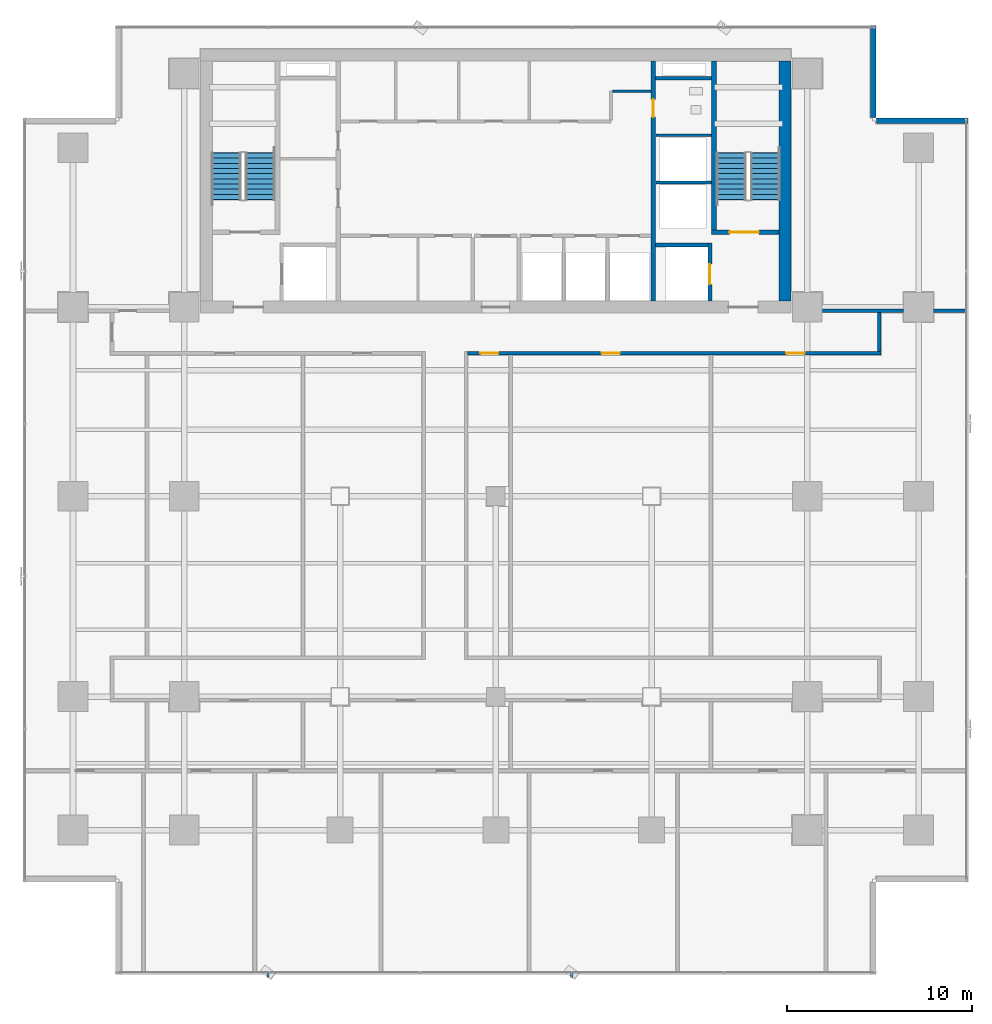
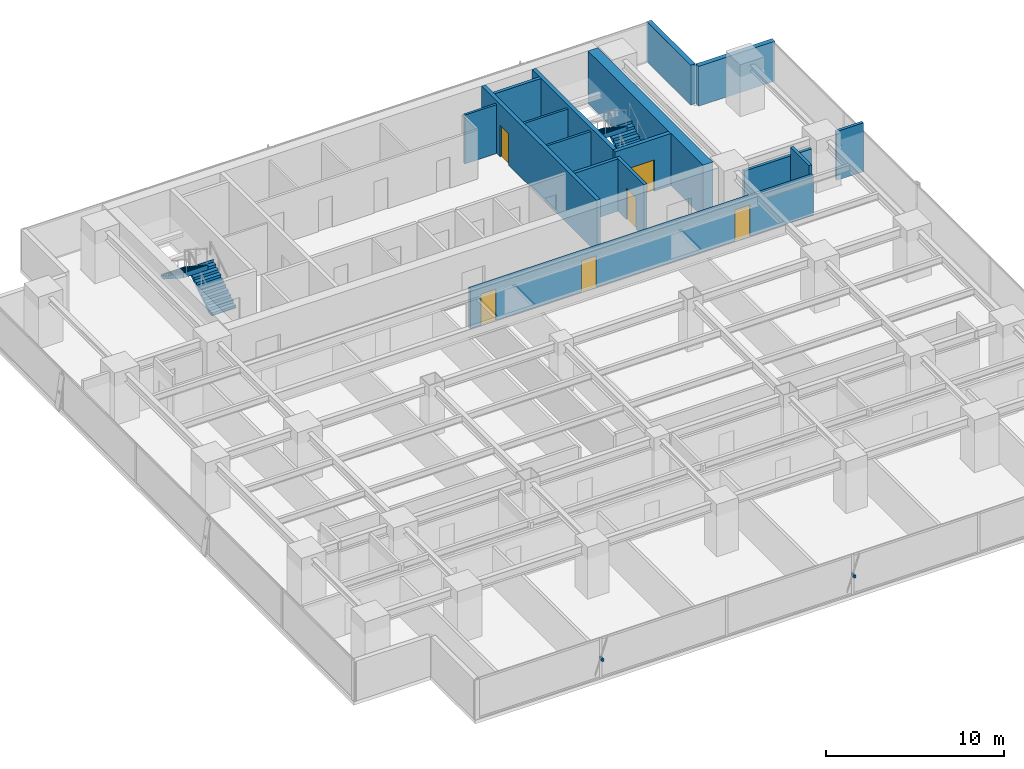
# One storey, part 30 of 36: 16 walls, 6 doors, 4 stair flights, 2 discrete accessories, 6 openings, 2 elements without a shape of their own.
"""IFC4 building model written with IfcOpenShell, lengths in metres."""

import ifcopenshell
import ifcopenshell.guid

model = None  # the IFC model being written
_history = None  # IfcOwnerHistory: only IFC2X3 demands one
_inside = {}  # id of a spatial element -> (the spatial element, [elements in it])
_under = {}  # id of a project, library or spatial element -> (it, [spatial elements below it])
_declared = {}  # id of a project -> (the project, [libraries it declares])
_typed = {}  # id of a type object -> (the type object, [elements of that type])
_made_of = {}  # id of a material, layer set ... -> (it, [elements and type objects made of it])


def new_model(schema):
    """Start an empty IFC model of exactly this schema.

    Asked for "IFC4X3", IfcOpenShell would pick the latest addendum, in which some entities
    have other attributes; the version numbers below select the first issue.
    IFC2X3 requires an IfcOwnerHistory on every rooted entity: one is made here for all.
    """
    global model, _history
    if schema == "IFC4X3":
        model = ifcopenshell.file(schema_version=(4, 3, 0, 0))
    else:
        model = ifcopenshell.file(schema=schema)
    _inside.clear()
    _under.clear()
    _declared.clear()
    _typed.clear()
    _made_of.clear()
    _history = None
    if model.schema == "IFC2X3":
        org = make("IfcOrganization", Name="unknown")
        user = make(
            "IfcPersonAndOrganization",
            ThePerson=make("IfcPerson", FamilyName="unknown"),
            TheOrganization=org,
        )
        app = make(
            "IfcApplication",
            ApplicationDeveloper=org,
            Version="unknown",
            ApplicationFullName="unknown",
            ApplicationIdentifier="unknown",
        )
        _history = make(
            "IfcOwnerHistory",
            OwningUser=user,
            OwningApplication=app,
            ChangeAction="ADDED",
            CreationDate=0,
        )
    return model


def make(cls, **values):
    """One entity of the class cls with the attributes given. An attribute that is None is left unset."""
    return model.create_entity(
        cls, **{name: value for name, value in values.items() if value is not None}
    )


def rooted(cls, **values):
    """An entity with a GlobalId (a new one), such as an element, a storey or a relation."""
    return make(cls, GlobalId=ifcopenshell.guid.new(), OwnerHistory=_history, **values)


def si_unit(unit_type, name, prefix=None):
    """IfcSIUnit, for example si_unit("LENGTHUNIT", "METRE", prefix="MILLI")."""
    return make("IfcSIUnit", UnitType=unit_type, Prefix=prefix, Name=name)


def assignment(units):
    """IfcUnitAssignment: the units of a project."""
    return None if units is None else make("IfcUnitAssignment", Units=units)


def point(xyz):
    """IfcCartesianPoint."""
    return None if xyz is None else make("IfcCartesianPoint", Coordinates=xyz)


def direction(xyz):
    """IfcDirection."""
    return None if xyz is None else make("IfcDirection", DirectionRatios=xyz)


def frame(location, z_axis=None, x_axis=None):
    """IfcAxis2Placement3D, a coordinate frame: its origin and axes. An axis left out is left unset."""
    return make(
        "IfcAxis2Placement3D",
        Location=point(location),
        Axis=direction(z_axis),
        RefDirection=direction(x_axis),
    )


def frame_2d(location, x_axis=None):
    """IfcAxis2Placement2D, a coordinate frame in the plane: its origin and x axis."""
    return make(
        "IfcAxis2Placement2D", Location=point(location), RefDirection=direction(x_axis)
    )


def origin():
    """The frame at (0, 0, 0) with its axes left unset."""
    return frame((0.0, 0.0, 0.0))


def origin_2d():
    """The frame at (0, 0) in the plane with its x axis left unset."""
    return frame_2d((0.0, 0.0))


def place(relative_to, where):
    """IfcLocalPlacement: puts the frame where relative to a parent placement (None: the world)."""
    return make(
        "IfcLocalPlacement", PlacementRelTo=relative_to, RelativePlacement=where
    )


def context(
    kind, dimensions, precision=None, world=None, true_north=None, identifier=None
):
    """IfcGeometricRepresentationContext, for example the 3D "Model" context."""
    return make(
        "IfcGeometricRepresentationContext",
        ContextIdentifier=identifier,
        ContextType=kind,
        CoordinateSpaceDimension=dimensions,
        Precision=precision,
        WorldCoordinateSystem=world,
        TrueNorth=true_north,
    )


def subcontext(parent, identifier, kind, view, scale=None):
    """IfcGeometricRepresentationSubContext, for example "Body" below "Model"."""
    return make(
        "IfcGeometricRepresentationSubContext",
        ContextIdentifier=identifier,
        ContextType=kind,
        ParentContext=parent,
        TargetScale=scale,
        TargetView=view,
    )


def project(units=None, contexts=None):
    """IfcProject with its units and contexts."""
    return rooted(
        "IfcProject",
        Name="project",
        RepresentationContexts=contexts,
        UnitsInContext=assignment(units),
    )


def spatial(cls, under=None, at=None, **own):
    """A site, building, storey or space (cls), placed at a placement, below another one or the project."""
    s = rooted(cls, ObjectPlacement=at, **own)
    if under is not None:
        _under.setdefault(under.id(), (under, []))[1].append(s)
    return s


def polyline(points):
    """IfcPolyline through the points."""
    return make("IfcPolyline", Points=[point(p) for p in points])


def profile(cls, at=None, kind="AREA", **sizes):
    """A parametric profile (cls). Its sizes go by their IFC names, for example OverallWidth=200.0."""
    return make(cls, ProfileType=kind, Position=at, **sizes)


def rectangle(**sizes):
    """IfcRectangleProfileDef."""
    return profile("IfcRectangleProfileDef", **sizes)


def outline(outer, holes=None, kind="AREA"):
    """IfcArbitraryClosedProfileDef: a profile drawn as a closed curve; with holes, ...WithVoids."""
    if holes is None:
        return make("IfcArbitraryClosedProfileDef", ProfileType=kind, OuterCurve=outer)
    return make(
        "IfcArbitraryProfileDefWithVoids",
        ProfileType=kind,
        OuterCurve=outer,
        InnerCurves=holes,
    )


def extrude(swept, where, along, depth):
    """IfcExtrudedAreaSolid: the profile swept, set in the frame where, extruded along a direction by depth."""
    return make(
        "IfcExtrudedAreaSolid",
        SweptArea=swept,
        Position=where,
        ExtrudedDirection=direction(along),
        Depth=depth,
    )


def shape(context_of_items, identifier, shape_type, items):
    """IfcShapeRepresentation: the items that make up one representation, for example the "Body"."""
    return make(
        "IfcShapeRepresentation",
        ContextOfItems=context_of_items,
        RepresentationIdentifier=identifier,
        RepresentationType=shape_type,
        Items=items,
    )


def source(mapping_origin, context_of_items, identifier, shape_type, items):
    """IfcRepresentationMap: a shape defined once, which mapped items show again and again."""
    return make(
        "IfcRepresentationMap",
        MappingOrigin=mapping_origin,
        MappedRepresentation=shape(context_of_items, identifier, shape_type, items),
    )


def transform(
    local_origin,
    x_axis=None,
    y_axis=None,
    z_axis=None,
    scale=None,
    scale2=None,
    scale3=None,
    uniform=True,
):
    """IfcCartesianTransformationOperator3D, or its non-uniform kind. x_axis, y_axis, z_axis: its Axis1, 2, 3."""
    if uniform:
        return make(
            "IfcCartesianTransformationOperator3D",
            Axis1=direction(x_axis),
            Axis2=direction(y_axis),
            LocalOrigin=point(local_origin),
            Scale=scale,
            Axis3=direction(z_axis),
        )
    return make(
        "IfcCartesianTransformationOperator3DnonUniform",
        Axis1=direction(x_axis),
        Axis2=direction(y_axis),
        LocalOrigin=point(local_origin),
        Scale=scale,
        Axis3=direction(z_axis),
        Scale2=scale2,
        Scale3=scale3,
    )


def mapped(mapping_source, mapping_target):
    """IfcMappedItem: shows the shape of a source again, moved by a transform."""
    return make(
        "IfcMappedItem", MappingSource=mapping_source, MappingTarget=mapping_target
    )


def material(Name=None, Category=None):
    """IfcMaterial."""
    return make("IfcMaterial", Name=Name, Category=Category)


def layer(
    of_material, thickness, ventilated=None, Name=None, Category=None, Priority=None
):
    """IfcMaterialLayer: one layer of a wall or slab, of a material (None: an air gap)."""
    return make(
        "IfcMaterialLayer",
        Material=of_material,
        LayerThickness=thickness,
        IsVentilated=ventilated,
        Name=Name,
        Category=Category,
        Priority=Priority,
    )


def layer_set(layers, Name=None):
    """IfcMaterialLayerSet."""
    return make("IfcMaterialLayerSet", MaterialLayers=layers, LayerSetName=Name)


def material_profile(
    of_material, cross_section, Name=None, Category=None, Priority=None
):
    """IfcMaterialProfile: a cross section and its material."""
    return make(
        "IfcMaterialProfile",
        Name=Name,
        Material=of_material,
        Profile=cross_section,
        Priority=Priority,
        Category=Category,
    )


def profile_set(profiles, Name=None, composite=None):
    """IfcMaterialProfileSet."""
    return make(
        "IfcMaterialProfileSet",
        Name=Name,
        MaterialProfiles=profiles,
        CompositeProfile=composite,
    )


def made_of(thing, what):
    """Note that an element or type object is made of a material, layer set ...; save() writes the relation."""
    if what is not None:
        _made_of.setdefault(what.id(), (what, []))[1].append(thing)
    return thing


def type_object(cls, material=None, **own):
    """A type object (cls), such as IfcWallType, which elements share."""
    return made_of(rooted(cls, **own), material)


def element(
    cls,
    number,
    at=None,
    inside=None,
    cuts=None,
    type_object=None,
    material=None,
    context=None,
    identifier="Body",
    shape_type=None,
    held_by="IfcProductDefinitionShape",
    body=None,
    shapes=None,
    **own,
):
    """One element of the class cls, such as IfcWall. Its Tag is "e" and its number.

    at: its placement. inside: the storey or other place that contains it. cuts: it is an
    opening in that element (IfcRelVoidsElement). A single representation is given by context,
    identifier, shape_type and body (its items); several are given by shapes. held_by: the class
    of the entity that holds the representations. save() writes the other relations.
    """
    e = rooted(cls, Tag="e%d" % number, ObjectPlacement=at, **own)
    if body is not None:
        shapes = [shape(context, identifier, shape_type, body)]
    if shapes is not None:
        e.Representation = make(held_by, Representations=shapes)
    if inside is not None:
        _inside.setdefault(inside.id(), (inside, []))[1].append(e)
    if cuts is not None:
        rooted(
            "IfcRelVoidsElement", RelatingBuildingElement=cuts, RelatedOpeningElement=e
        )
    if type_object is not None:
        _typed.setdefault(type_object.id(), (type_object, []))[1].append(e)
    return made_of(e, material)


def fill(opening, filler):
    """IfcRelFillsElement: the door or window that sits in an opening."""
    return rooted(
        "IfcRelFillsElement",
        RelatingOpeningElement=opening,
        RelatedBuildingElement=filler,
    )


def aggregate(whole, parts):
    """IfcRelAggregates: a whole, such as a stair, and the parts it consists of."""
    return rooted("IfcRelAggregates", RelatingObject=whole, RelatedObjects=parts)


def save(model, path):
    """Write the relations noted so far, then the file.

    IfcRelAggregates (storeys below a building ...), IfcRelContainedInSpatialStructure (elements
    in a storey), IfcRelDefinesByType, IfcRelAssociatesMaterial and IfcRelDeclares: one each for
    every whole, place, type object, material and project.
    """
    for whole, parts in _under.values():
        aggregate(whole, parts)
    for where, things in _inside.values():
        rooted(
            "IfcRelContainedInSpatialStructure",
            RelatedElements=things,
            RelatingStructure=where,
        )
    for kind, things in _typed.values():
        rooted("IfcRelDefinesByType", RelatedObjects=things, RelatingType=kind)
    for what, things in _made_of.values():
        rooted("IfcRelAssociatesMaterial", RelatedObjects=things, RelatingMaterial=what)
    for by, libraries in _declared.values():
        rooted("IfcRelDeclares", RelatingContext=by, RelatedDefinitions=libraries)
    model.write(path)


model = new_model("IFC4")

# Units and contexts
model_context = context("Model", 3, precision=1e-05, world=origin(), true_north=direction((0.0, 1.0)))
body_context = subcontext(model_context, "Body", "Model", "MODEL_VIEW")
ifc_project = project(units=[si_unit("LENGTHUNIT", "METRE"), si_unit("AREAUNIT", "SQUARE_METRE"), si_unit("VOLUMEUNIT", "CUBIC_METRE"), si_unit("PLANEANGLEUNIT", "RADIAN"), si_unit("MASSUNIT", "GRAM", prefix="KILO")], contexts=[model_context])

# Site, building, storey
site_placement = place(None, origin())
site = spatial("IfcSite", under=ifc_project, at=site_placement, CompositionType="ELEMENT")
building_placement = place(site_placement, origin())
building = spatial("IfcBuilding", under=site, at=building_placement, Name="Sumidabori Civic Tower", CompositionType="ELEMENT")
storey_placement = place(building_placement, frame((0.0, 0.0, 113.60009765625)))
storey = spatial("IfcBuildingStorey", under=building, at=storey_placement, Name="L29", CompositionType="ELEMENT", Elevation=113.60009765625)

# Walls
ifc_material_1 = material(Name="Concrete C50/60", Category="concrete")
ifc_layer_1 = layer(ifc_material_1, 0.199951171875, Name="Concrete C50/60")
ifc_layer_set_1 = layer_set([ifc_layer_1], Name="Concrete C50/60")
wall_type_1 = type_object("IfcWallType", Name="WL-SHAFT-200", PredefinedType="SHEAR", material=ifc_layer_set_1)
shared_shape_1 = source(origin(), body_context, "Body", "SweptSolid", [
    extrude(rectangle(XDim=2.824951171875, YDim=0.199951171875, at=frame_2d((1.41259765625, 0.0))), origin(), (0.0, 0.0, 1.0), 3.599853515625),
])
wall_1_placement = place(storey_placement, frame((8.625, 13.550048828125, 0.0), z_axis=(0.0, 0.0, 1.0), x_axis=(1.0, 0.0, 0.0)))
element("IfcWall", 1, at=wall_1_placement, inside=storey, type_object=wall_type_1, Name="Core Shear Wall L29 EL2-N", PredefinedType="SHEAR", context=body_context, shape_type="MappedRepresentation", body=[
    mapped(shared_shape_1, transform((0.0, 0.0, 0.0), x_axis=(1.0, 0.0, 0.0), y_axis=(0.0, 1.0, 0.0), z_axis=(0.0, 0.0, 1.0), scale=1.0)),
])
shared_shape_2 = source(origin(), body_context, "Body", "SweptSolid", [
    extrude(rectangle(XDim=3.02001953125, YDim=0.199951171875, at=frame_2d((1.510009765625, 0.0))), origin(), (0.0, 0.0, 1.0), 3.599853515625),
])
wall_2_placement = place(storey_placement, frame((8.625, 22.550048828125, 0.0), z_axis=(0.0, 0.0, 1.0), x_axis=(1.0, 0.0, 0.0)))
element("IfcWall", 2, at=wall_2_placement, inside=storey, type_object=wall_type_1, Name="Core Shear Wall L29 RIS2-S", PredefinedType="SHEAR", context=body_context, shape_type="MappedRepresentation", body=[
    mapped(shared_shape_2, transform((0.0, 0.0, 0.0), x_axis=(1.0, 0.0, 0.0), y_axis=(0.0, 1.0, 0.0), z_axis=(0.0, 0.0, 1.0), scale=1.0)),
])
ifc_material_2 = material(Name="Concrete C60/75", Category="concrete")
ifc_layer_2 = layer(ifc_material_2, 0.64990234375, Name="Concrete C60/75")
ifc_layer_set_2 = layer_set([ifc_layer_2], Name="Concrete C60/75")
wall_type_2 = type_object("IfcWallType", Name="WL-CORE-650", PredefinedType="SHEAR", material=ifc_layer_set_2)
shared_shape_3 = source(origin(), body_context, "Body", "SweptSolid", [
    extrude(rectangle(XDim=12.9501953125, YDim=0.64990234375, at=frame_2d((6.47509765625, 0.0))), origin(), (0.0, 0.0, 1.0), 3.599853515625),
])
wall_3_placement = place(storey_placement, frame((15.60009765625, 10.52490234375, 0.0), z_axis=(0.0, 0.0, 1.0), x_axis=(0.0, 1.0, 0.0)))
element("IfcWall", 3, at=wall_3_placement, inside=storey, type_object=wall_type_2, Name="Core Shear Wall L29 E", PredefinedType="SHEAR", context=body_context, shape_type="MappedRepresentation", body=[
    mapped(shared_shape_3, transform((0.0, 0.0, 0.0), x_axis=(1.0, 0.0, 0.0), y_axis=(0.0, 1.0, 0.0), z_axis=(0.0, 0.0, 1.0), scale=1.0)),
])

# Wall, opening, door
ifc_layer_3 = layer(ifc_material_1, 0.25, Name="Concrete C50/60")
ifc_layer_set_3 = layer_set([ifc_layer_3], Name="Concrete C50/60")
wall_type_3 = type_object("IfcWallType", Name="WL-SHAFT-250", PredefinedType="SHEAR", material=ifc_layer_set_3)
shared_shape_4 = source(origin(), body_context, "Body", "SweptSolid", [
    extrude(rectangle(XDim=12.9501953125, YDim=0.25, at=frame_2d((6.47509765625, 0.0))), origin(), (0.0, 0.0, 1.0), 3.599853515625),
])
wall_4_placement = place(storey_placement, frame((8.5, 10.52490234375, 0.0), z_axis=(0.0, 0.0, 1.0), x_axis=(0.0, 1.0, 0.0)))
wall_4 = element("IfcWall", 4, at=wall_4_placement, inside=storey, type_object=wall_type_3, Name="Core Shear Wall L29 WEB-E", PredefinedType="SHEAR", context=body_context, shape_type="MappedRepresentation", body=[
    mapped(shared_shape_4, transform((0.0, 0.0, 0.0), x_axis=(1.0, 0.0, 0.0), y_axis=(0.0, 1.0, 0.0), z_axis=(0.0, 0.0, 1.0), scale=1.0)),
])
opening_1_placement = place(wall_4_placement, frame((9.925048828125, 0.0, 0.0)))
opening_1 = element("IfcOpeningElement", 5, at=opening_1_placement, cuts=wall_4, Name="Opening DR-2", PredefinedType="OPENING", context=body_context, shape_type="SweptSolid", body=[
    extrude(rectangle(XDim=0.949951171875, YDim=2.14990234375, at=frame_2d((0.47509765625, 1.074951171875))), frame((0.0, 0.136962890625, 0.0), z_axis=(0.0, -1.0, 0.0), x_axis=(1.0, 0.0, 0.0)), (0.0, 0.0, 1.0), 0.27392578125),
])
ifc_material_3 = material(Name="Japanese Hinoki Timber", Category="wood")
door_type_1 = type_object("IfcDoorType", Name="DR-INT-950", OperationType="NOTDEFINED", PredefinedType="DOOR", material=ifc_material_3)
shared_shape_5 = source(origin(), body_context, "Body", "SweptSolid", [
    extrude(rectangle(XDim=0.949951171875, YDim=2.14990234375, at=frame_2d((0.47509765625, 1.074951171875))), frame((0.0, 0.02490234375, 0.0), z_axis=(0.0, -1.0, 0.0), x_axis=(1.0, 0.0, 0.0)), (0.0, 0.0, 1.0), 0.050048828125),
])
door_1_placement = place(opening_1_placement, origin())
door_1 = element("IfcDoor", 6, at=door_1_placement, inside=storey, type_object=door_type_1, Name="Door DR:L29:WC-ACC", OperationType="SINGLE_SWING_RIGHT", OverallHeight=2.14990234375, OverallWidth=0.949951171875, PredefinedType="DOOR", context=body_context, shape_type="MappedRepresentation", body=[
    mapped(shared_shape_5, transform((0.0, 0.0, 0.0), x_axis=(1.0, 0.0, 0.0), y_axis=(0.0, 1.0, 0.0), z_axis=(0.0, 0.0, 1.0), scale=1.0)),
])
fill(opening_1, door_1)

shared_shape_6 = source(origin(), body_context, "Body", "SweptSolid", [
    extrude(rectangle(XDim=3.6298828125, YDim=0.25, at=frame_2d((1.81494140625, 0.0))), origin(), (0.0, 0.0, 1.0), 3.599853515625),
])
wall_5_placement = place(storey_placement, frame((11.64501953125, 14.25, 0.0), z_axis=(0.0, 0.0, 1.0), x_axis=(1.0, 0.0, 0.0)))
wall_5 = element("IfcWall", 7, at=wall_5_placement, inside=storey, type_object=wall_type_3, Name="Core Shear Wall L29 ST2-S", PredefinedType="SHEAR", context=body_context, shape_type="MappedRepresentation", body=[
    mapped(shared_shape_6, transform((0.0, 0.0, 0.0), x_axis=(1.0, 0.0, 0.0), y_axis=(0.0, 1.0, 0.0), z_axis=(0.0, 0.0, 1.0), scale=1.0)),
])
opening_2_placement = place(wall_5_placement, frame((0.949951171875, 0.0, 0.0)))
opening_2 = element("IfcOpeningElement", 8, at=opening_2_placement, cuts=wall_5, Name="Opening DR-FD4", PredefinedType="OPENING", context=body_context, shape_type="SweptSolid", body=[
    extrude(rectangle(XDim=1.60009765625, YDim=2.14990234375, at=frame_2d((0.800048828125, 1.074951171875))), frame((0.0, 0.136962890625, 0.0), z_axis=(0.0, -1.0, 0.0), x_axis=(1.0, 0.0, 0.0)), (0.0, 0.0, 1.0), 0.27392578125),
])
ifc_material_4 = material(Name="Steel SN490", Category="steel")
door_type_2 = type_object("IfcDoorType", Name="DR-FD4", OperationType="DOUBLE_DOOR_SINGLE_SWING", PredefinedType="DOOR", material=ifc_material_4)
shared_shape_7 = source(origin(), body_context, "Body", "SweptSolid", [
    extrude(rectangle(XDim=1.60009765625, YDim=2.14990234375, at=frame_2d((0.800048828125, 1.074951171875))), frame((0.0, 0.02490234375, 0.0), z_axis=(0.0, -1.0, 0.0), x_axis=(1.0, 0.0, 0.0)), (0.0, 0.0, 1.0), 0.050048828125),
])
door_2_placement = place(opening_2_placement, origin())
door_2 = element("IfcDoor", 9, at=door_2_placement, inside=storey, type_object=door_type_2, Name="Door DR:L29:ST2", OperationType="DOUBLE_DOOR_SINGLE_SWING", OverallHeight=2.14990234375, OverallWidth=1.60009765625, PredefinedType="DOOR", context=body_context, shape_type="MappedRepresentation", body=[
    mapped(shared_shape_7, transform((0.0, 0.0, 0.0), x_axis=(1.0, 0.0, 0.0), y_axis=(0.0, 1.0, 0.0), z_axis=(0.0, 0.0, 1.0), scale=1.0)),
])
fill(opening_2, door_2)

# Wall
shared_shape_8 = source(origin(), body_context, "Body", "SweptSolid", [
    extrude(rectangle(XDim=9.10009765625, YDim=0.25, at=frame_2d((4.550048828125, 0.0))), origin(), (0.0, 0.0, 1.0), 3.599853515625),
])
wall_6_placement = place(storey_placement, frame((11.77001953125, 14.375, 0.0), z_axis=(0.0, 0.0, 1.0), x_axis=(0.0, 1.0, 0.0)))
element("IfcWall", 10, at=wall_6_placement, inside=storey, type_object=wall_type_3, Name="Core Shear Wall L29 ST2-W", PredefinedType="SHEAR", context=body_context, shape_type="MappedRepresentation", body=[
    mapped(shared_shape_8, transform((0.0, 0.0, 0.0), x_axis=(1.0, 0.0, 0.0), y_axis=(0.0, 1.0, 0.0), z_axis=(0.0, 0.0, 1.0), scale=1.0)),
])

# Wall, opening, door
shared_shape_9 = source(origin(), body_context, "Body", "SweptSolid", [
    extrude(rectangle(XDim=3.125, YDim=0.199951171875, at=frame_2d((1.5625, 0.0))), origin(), (0.0, 0.0, 1.0), 3.599853515625),
])
wall_7_placement = place(storey_placement, frame((11.550048828125, 10.52490234375, 0.0), z_axis=(0.0, 0.0, 1.0), x_axis=(0.0, 1.0, 0.0)))
wall_7 = element("IfcWall", 11, at=wall_7_placement, inside=storey, type_object=wall_type_1, Name="Core Shear Wall L29 EL2-E", PredefinedType="SHEAR", context=body_context, shape_type="MappedRepresentation", body=[
    mapped(shared_shape_9, transform((0.0, 0.0, 0.0), x_axis=(1.0, 0.0, 0.0), y_axis=(0.0, 1.0, 0.0), z_axis=(0.0, 0.0, 1.0), scale=1.0)),
])
opening_3_placement = place(wall_7_placement, frame((0.89990234375, 0.0, 0.0)))
opening_3 = element("IfcOpeningElement", 12, at=opening_3_placement, cuts=wall_7, Name="Opening LD-2", PredefinedType="OPENING", context=body_context, shape_type="SweptSolid", body=[
    extrude(rectangle(XDim=1.10009765625, YDim=2.14990234375, at=frame_2d((0.550048828125, 1.074951171875))), frame((0.0, 0.11181640625, 0.0), z_axis=(0.0, -1.0, 0.0), x_axis=(1.0, 0.0, 0.0)), (0.0, 0.0, 1.0), 0.223876953125),
])
ifc_material_5 = material(Name="Stainless Steel Hairline Finish", Category="steel")
door_type_3 = type_object("IfcDoorType", Name="DR-LD2", OperationType="DOUBLE_DOOR_SLIDING", PredefinedType="DOOR", material=ifc_material_5)
shared_shape_10 = source(origin(), body_context, "Body", "SweptSolid", [
    extrude(rectangle(XDim=1.10009765625, YDim=2.14990234375, at=frame_2d((0.550048828125, 1.074951171875))), frame((0.0, 0.02490234375, 0.0), z_axis=(0.0, -1.0, 0.0), x_axis=(1.0, 0.0, 0.0)), (0.0, 0.0, 1.0), 0.050048828125),
])
door_3_placement = place(opening_3_placement, origin())
door_3 = element("IfcDoor", 13, at=door_3_placement, inside=storey, type_object=door_type_3, Name="Door DR:L29:LD-EL2", OperationType="DOUBLE_DOOR_SLIDING", OverallHeight=2.14990234375, OverallWidth=1.10009765625, PredefinedType="DOOR", context=body_context, shape_type="MappedRepresentation", body=[
    mapped(shared_shape_10, transform((0.0, 0.0, 0.0), x_axis=(1.0, 0.0, 0.0), y_axis=(0.0, 1.0, 0.0), z_axis=(0.0, 0.0, 1.0), scale=1.0)),
])
fill(opening_3, door_3)

# Walls
ifc_material_6 = material(Name="Precast concrete C40/50", Category="concrete")
ifc_layer_4 = layer(ifc_material_6, 0.300048828125, Name="Precast concrete C40/50")
ifc_layer_set_4 = layer_set([ifc_layer_4], Name="Precast concrete C40/50")
wall_type_4 = type_object("IfcWallType", Name="WL-EXT-POD300", PredefinedType="STANDARD", material=ifc_layer_set_4)
shared_shape_11 = source(origin(), body_context, "Body", "SweptSolid", [
    extrude(rectangle(XDim=4.9599609375, YDim=0.300048828125, at=frame_2d((2.47998046875, 0.0))), origin(), (0.0, 0.0, 1.0), 2.739990234375),
])
for number, where, z_axis, x_axis, name in (
    (14, (25.47998046875, 20.25, 0.0), (0.0, 0.0, 1.0), (-1.0, 0.0, 0.0), "Notched Corner Spandrel Band L29-05"),
    (15, (20.35009765625, 20.419921875, 0.0), (0.0, 0.0, 1.0), (0.0, 1.0, 0.0), "Notched Corner Spandrel Band L29-06"),
):
    element("IfcWall", number, at=place(storey_placement, frame(where, z_axis=z_axis, x_axis=x_axis)), inside=storey, type_object=wall_type_4, Name=name, PredefinedType="STANDARD", context=body_context, shape_type="MappedRepresentation", body=[
        mapped(shared_shape_11, transform((0.0, 0.0, 0.0), x_axis=(1.0, 0.0, 0.0), y_axis=(0.0, 1.0, 0.0), z_axis=(0.0, 0.0, 1.0), scale=1.0)),
    ])
ifc_material_7 = material(Name="Gypsum Plasterboard Acoustic Partition")
ifc_layer_5 = layer(ifc_material_7, 0.14990234375, Name="Gypsum Plasterboard Acoustic Partition")
ifc_layer_set_5 = layer_set([ifc_layer_5], Name="Gypsum Plasterboard Acoustic Partition")
wall_type_5 = type_object("IfcWallType", Name="WL-PART-150", PredefinedType="PARTITIONING", material=ifc_layer_set_5)
shared_shape_12 = source(origin(), body_context, "Body", "SweptSolid", [
    extrude(rectangle(XDim=3.010009765625, YDim=0.14990234375, at=frame_2d((1.5048828125, 0.0))), origin(), (0.0, 0.0, 1.0), 3.35986328125),
])
for number, where, z_axis, x_axis, name in (
    (16, (8.6298828125, 16.919921875, 0.0), (0.0, 0.0, 1.0), (1.0, 0.0, 0.0), "Interior Partition WL:L29:DIV-OBS1"),
    (17, (8.6298828125, 19.469970703125, 0.0), (0.0, 0.0, 1.0), (1.0, 0.0, 0.0), "Interior Partition WL:L29:DIV-OBS2"),
):
    element("IfcWall", number, at=place(storey_placement, frame(where, z_axis=z_axis, x_axis=x_axis)), inside=storey, type_object=wall_type_5, Name=name, PredefinedType="PARTITIONING", context=body_context, shape_type="MappedRepresentation", body=[
        mapped(shared_shape_12, transform((0.0, 0.0, 0.0), x_axis=(1.0, 0.0, 0.0), y_axis=(0.0, 1.0, 0.0), z_axis=(0.0, 0.0, 1.0), scale=1.0)),
    ])
shared_shape_13 = source(origin(), body_context, "Body", "SweptSolid", [
    extrude(rectangle(XDim=2.070068359375, YDim=0.14990234375, at=frame_2d((1.03515625, 0.0))), origin(), (0.0, 0.0, 1.0), 3.35986328125),
])
wall_8_placement = place(storey_placement, frame((6.300048828125, 21.85009765625, 0.0), z_axis=(0.0, 0.0, 1.0), x_axis=(1.0, 0.0, 0.0)))
element("IfcWall", 18, at=wall_8_placement, inside=storey, type_object=wall_type_5, Name="Interior Partition WL:L29:CBAND-ME2", PredefinedType="PARTITIONING", context=body_context, shape_type="MappedRepresentation", body=[
    mapped(shared_shape_13, transform((0.0, 0.0, 0.0), x_axis=(1.0, 0.0, 0.0), y_axis=(0.0, 1.0, 0.0), z_axis=(0.0, 0.0, 1.0), scale=1.0)),
])
ifc_layer_6 = layer(ifc_material_7, 0.179931640625, Name="Gypsum Plasterboard Acoustic Partition")
ifc_layer_set_6 = layer_set([ifc_layer_6], Name="Gypsum Plasterboard Acoustic Partition")
wall_type_6 = type_object("IfcWallType", Name="WL-PART-180", PredefinedType="PARTITIONING", material=ifc_layer_set_6)
shared_shape_14 = source(origin(), body_context, "Body", "SweptSolid", [
    extrude(rectangle(XDim=1.739990234375, YDim=0.179931640625, at=frame_2d((0.8701171875, 0.0))), origin(), (0.0, 0.0, 1.0), 3.35986328125),
])
wall_9_placement = place(storey_placement, frame((23.610107421875, 10.0, 0.0), z_axis=(0.0, 0.0, 1.0), x_axis=(1.0, 0.0, 0.0)))
element("IfcWall", 19, at=wall_9_placement, inside=storey, type_object=wall_type_6, Name="Interior Partition WL:L29:FLK-NE-2", PredefinedType="PARTITIONING", context=body_context, shape_type="MappedRepresentation", body=[
    mapped(shared_shape_14, transform((0.0, 0.0, 0.0), x_axis=(1.0, 0.0, 0.0), y_axis=(0.0, 1.0, 0.0), z_axis=(0.0, 0.0, 1.0), scale=1.0)),
])
shared_shape_15 = source(origin(), body_context, "Body", "SweptSolid", [
    extrude(rectangle(XDim=4.3798828125, YDim=0.179931640625, at=frame_2d((2.18994140625, 0.0))), origin(), (0.0, 0.0, 1.0), 2.744873046875),
])
wall_10_placement = place(storey_placement, frame((17.610107421875, 10.0, 0.0), z_axis=(0.0, 0.0, 1.0), x_axis=(1.0, 0.0, 0.0)))
element("IfcWall", 20, at=wall_10_placement, inside=storey, type_object=wall_type_6, Name="Interior Partition WL:L29:FLK-NE-1", PredefinedType="PARTITIONING", context=body_context, shape_type="MappedRepresentation", body=[
    mapped(shared_shape_15, transform((0.0, 0.0, 0.0), x_axis=(1.0, 0.0, 0.0), y_axis=(0.0, 1.0, 0.0), z_axis=(0.0, 0.0, 1.0), scale=1.0)),
])

# Wall, openings, doors
shared_shape_16 = source(origin(), body_context, "Body", "SweptSolid", [
    extrude(rectangle(XDim=22.300048828125, YDim=0.179931640625, at=frame_2d((11.14990234375, 0.0))), origin(), (0.0, 0.0, 1.0), 2.744873046875),
])
wall_11_placement = place(storey_placement, frame((-1.52001953125, 7.7099609375, 0.0), z_axis=(0.0, 0.0, 1.0), x_axis=(1.0, 0.0, 0.0)))
wall_11 = element("IfcWall", 21, at=wall_11_placement, inside=storey, type_object=wall_type_6, Name="Interior Partition WL:L29:CORR-SE", PredefinedType="PARTITIONING", context=body_context, shape_type="MappedRepresentation", body=[
    mapped(shared_shape_16, transform((0.0, 0.0, 0.0), x_axis=(1.0, 0.0, 0.0), y_axis=(0.0, 1.0, 0.0), z_axis=(0.0, 0.0, 1.0), scale=1.0)),
])
opening_4_placement = place(wall_11_placement, frame((0.68505859375, 0.0, 0.0)))
opening_4 = element("IfcOpeningElement", 22, at=opening_4_placement, cuts=wall_11, Name="Opening DR-3", PredefinedType="OPENING", context=body_context, shape_type="SweptSolid", body=[
    extrude(rectangle(XDim=0.97998046875, YDim=2.14990234375, at=frame_2d((0.489990234375, 1.074951171875))), frame((0.0, 0.10205078125, 0.0), z_axis=(0.0, -1.0, 0.0), x_axis=(1.0, 0.0, 0.0)), (0.0, 0.0, 1.0), 0.203857421875),
])
opening_5_placement = place(wall_11_placement, frame((7.22998046875, 0.0, 0.0)))
opening_5 = element("IfcOpeningElement", 23, at=opening_5_placement, cuts=wall_11, Name="Opening DR-3", PredefinedType="OPENING", context=body_context, shape_type="SweptSolid", body=[
    extrude(rectangle(XDim=0.97998046875, YDim=2.14990234375, at=frame_2d((0.489990234375, 1.074951171875))), frame((0.0, 0.10205078125, 0.0), z_axis=(0.0, -1.0, 0.0), x_axis=(1.0, 0.0, 0.0)), (0.0, 0.0, 1.0), 0.203857421875),
])
opening_6_placement = place(wall_11_placement, frame((17.195068359375, 0.0, 0.0)))
opening_6 = element("IfcOpeningElement", 24, at=opening_6_placement, cuts=wall_11, Name="Opening DR-3", PredefinedType="OPENING", context=body_context, shape_type="SweptSolid", body=[
    extrude(rectangle(XDim=0.97998046875, YDim=2.14990234375, at=frame_2d((0.489990234375, 1.074951171875))), frame((0.0, 0.10205078125, 0.0), z_axis=(0.0, -1.0, 0.0), x_axis=(1.0, 0.0, 0.0)), (0.0, 0.0, 1.0), 0.203857421875),
])
door_type_4 = type_object("IfcDoorType", Name="DR-INT-980", OperationType="NOTDEFINED", PredefinedType="DOOR", material=ifc_material_3)
shared_shape_17 = source(origin(), body_context, "Body", "SweptSolid", [
    extrude(rectangle(XDim=0.97998046875, YDim=2.14990234375, at=frame_2d((0.489990234375, 1.074951171875))), frame((0.0, 0.02490234375, 0.0), z_axis=(0.0, -1.0, 0.0), x_axis=(1.0, 0.0, 0.0)), (0.0, 0.0, 1.0), 0.050048828125),
])
door_4_placement = place(opening_4_placement, origin())
door_4 = element("IfcDoor", 25, at=door_4_placement, inside=storey, type_object=door_type_4, Name="Door DR:L29:D04", OperationType="SINGLE_SWING_RIGHT", OverallHeight=2.14990234375, OverallWidth=0.97998046875, PredefinedType="DOOR", context=body_context, shape_type="MappedRepresentation", body=[
    mapped(shared_shape_17, transform((0.0, 0.0, 0.0), x_axis=(1.0, 0.0, 0.0), y_axis=(0.0, 1.0, 0.0), z_axis=(0.0, 0.0, 1.0), scale=1.0)),
])
fill(opening_4, door_4)
door_5_placement = place(opening_5_placement, origin())
door_5 = element("IfcDoor", 26, at=door_5_placement, inside=storey, type_object=door_type_4, Name="Door DR:L29:D05", OperationType="SINGLE_SWING_LEFT", OverallHeight=2.14990234375, OverallWidth=0.97998046875, PredefinedType="DOOR", context=body_context, shape_type="MappedRepresentation", body=[
    mapped(shared_shape_17, transform((0.0, 0.0, 0.0), x_axis=(1.0, 0.0, 0.0), y_axis=(0.0, 1.0, 0.0), z_axis=(0.0, 0.0, 1.0), scale=1.0)),
])
fill(opening_5, door_5)
door_6_placement = place(opening_6_placement, origin())
door_6 = element("IfcDoor", 27, at=door_6_placement, inside=storey, type_object=door_type_4, Name="Door DR:L29:D07", OperationType="SINGLE_SWING_LEFT", OverallHeight=2.14990234375, OverallWidth=0.97998046875, PredefinedType="DOOR", context=body_context, shape_type="MappedRepresentation", body=[
    mapped(shared_shape_17, transform((0.0, 0.0, 0.0), x_axis=(1.0, 0.0, 0.0), y_axis=(0.0, 1.0, 0.0), z_axis=(0.0, 0.0, 1.0), scale=1.0)),
])
fill(opening_6, door_6)

# Wall
shared_shape_18 = source(origin(), body_context, "Body", "SweptSolid", [
    extrude(rectangle(XDim=2.10009765625, YDim=0.179931640625, at=frame_2d((1.050048828125, 0.0))), origin(), (0.0, 0.0, 1.0), 3.35986328125),
])
wall_12_placement = place(storey_placement, frame((20.68994140625, 7.804931640625, 0.0), z_axis=(0.0, 0.0, 1.0), x_axis=(0.0, 1.0, 0.0)))
element("IfcWall", 28, at=wall_12_placement, inside=storey, type_object=wall_type_6, Name="Interior Partition WL:L29:CORR-VNE", PredefinedType="PARTITIONING", context=body_context, shape_type="MappedRepresentation", body=[
    mapped(shared_shape_18, transform((0.0, 0.0, 0.0), x_axis=(1.0, 0.0, 0.0), y_axis=(0.0, 1.0, 0.0), z_axis=(0.0, 0.0, 1.0), scale=1.0)),
])

# Stair, stair flights
ifc_material_8 = material(Name="Concrete C40/50", Category="concrete")
stair_type = type_object("IfcStairType", Name="ST-CORE-1600", PredefinedType="HALF_TURN_STAIR", material=ifc_material_8)
stair_1_placement = place(storey_placement, origin())
stair_1 = element("IfcStair", 29, at=stair_1_placement, inside=storey, type_object=stair_type, Name="L29 ST-1", PredefinedType="HALF_TURN_STAIR")
stair_flight_type = type_object("IfcStairFlightType", Name="SF-CORE-1600", PredefinedType="STRAIGHT", material=ifc_material_8)
shared_shape_19 = source(origin(), body_context, "Body", "SweptSolid", [
    extrude(outline(polyline([(-0.02490234375, 0.0), (-0.02490234375, 0.0400390625), (0.0, 0.0400390625), (0.0, 0.179931640625), (0.280029296875, 0.179931640625), (0.280029296875, 0.360107421875), (0.56005859375, 0.360107421875), (0.56005859375, 0.5400390625), (0.840087890625, 0.5400390625), (0.840087890625, 0.719970703125), (1.1201171875, 0.719970703125), (1.1201171875, 0.89990234375), (1.39990234375, 0.89990234375), (1.39990234375, 1.080078125), (1.679931640625, 1.080078125), (1.679931640625, 1.260009765625), (1.9599609375, 1.260009765625), (1.9599609375, 1.43994140625), (2.239990234375, 1.43994140625), (2.239990234375, 1.6201171875), (2.52001953125, 1.6201171875), (2.52001953125, 1.800048828125), (2.544921875, 1.800048828125), (2.544921875, 1.650146484375), (2.52001953125, 1.44189453125), (0.277099609375, 0.0), (-0.02490234375, 0.0)])), frame((0.0, 0.800048828125, 0.0), z_axis=(0.0, -1.0, 0.0), x_axis=(1.0, 0.0, 0.0)), (0.0, 0.0, 1.0), 1.60009765625),
])
stair_flight_1_placement = place(storey_placement, frame((-12.699951171875, 16.0, 0.0), z_axis=(0.0, 0.0, 1.0), x_axis=(0.0, 1.0, 0.0)))
stair_flight_1 = element("IfcStairFlight", 30, at=stair_flight_1_placement, type_object=stair_flight_type, Name="ST-1 flight 1", NumberOfRisers=10, NumberOfTreads=9, PredefinedType="STRAIGHT", RiserHeight=0.18, TreadLength=0.28, context=body_context, shape_type="MappedRepresentation", body=[
    mapped(shared_shape_19, transform((0.0, 0.0, 0.0), x_axis=(1.0, 0.0, 0.0), y_axis=(0.0, 1.0, 0.0), z_axis=(0.0, 0.0, 1.0), scale=1.0)),
])
stair_flight_2_placement = place(storey_placement, frame((-14.5400390625, 18.52001953125, 1.7998046875), z_axis=(0.0, 0.0, 1.0), x_axis=(0.0, -1.0, 0.0)))
stair_flight_2 = element("IfcStairFlight", 31, at=stair_flight_2_placement, type_object=stair_flight_type, Name="ST-1 flight 2", NumberOfRisers=10, NumberOfTreads=9, PredefinedType="STRAIGHT", RiserHeight=0.18, TreadLength=0.28, context=body_context, shape_type="MappedRepresentation", body=[
    mapped(shared_shape_19, transform((0.0, 0.0, 0.0), x_axis=(1.0, 0.0, 0.0), y_axis=(0.0, 1.0, 0.0), z_axis=(0.0, 0.0, 1.0), scale=1.0)),
])
aggregate(stair_1, [stair_flight_1, stair_flight_2])

stair_2_placement = place(storey_placement, origin())
stair_2 = element("IfcStair", 32, at=stair_2_placement, inside=storey, type_object=stair_type, Name="L29 ST-2", PredefinedType="HALF_TURN_STAIR")
stair_flight_3_placement = place(storey_placement, frame((14.5400390625, 16.0, 0.0), z_axis=(0.0, 0.0, 1.0), x_axis=(0.0, 1.0, 0.0)))
stair_flight_3 = element("IfcStairFlight", 33, at=stair_flight_3_placement, type_object=stair_flight_type, Name="ST-2 flight 1", NumberOfRisers=10, NumberOfTreads=9, PredefinedType="STRAIGHT", RiserHeight=0.18, TreadLength=0.28, context=body_context, shape_type="MappedRepresentation", body=[
    mapped(shared_shape_19, transform((0.0, 0.0, 0.0), x_axis=(1.0, 0.0, 0.0), y_axis=(0.0, 1.0, 0.0), z_axis=(0.0, 0.0, 1.0), scale=1.0)),
])
stair_flight_4_placement = place(storey_placement, frame((12.699951171875, 18.52001953125, 1.7998046875), z_axis=(0.0, 0.0, 1.0), x_axis=(0.0, -1.0, 0.0)))
stair_flight_4 = element("IfcStairFlight", 34, at=stair_flight_4_placement, type_object=stair_flight_type, Name="ST-2 flight 2", NumberOfRisers=10, NumberOfTreads=9, PredefinedType="STRAIGHT", RiserHeight=0.18, TreadLength=0.28, context=body_context, shape_type="MappedRepresentation", body=[
    mapped(shared_shape_19, transform((0.0, 0.0, 0.0), x_axis=(1.0, 0.0, 0.0), y_axis=(0.0, 1.0, 0.0), z_axis=(0.0, 0.0, 1.0), scale=1.0)),
])
aggregate(stair_2, [stair_flight_3, stair_flight_4])

# Discrete accessories
ifc_material_profile = material_profile(ifc_material_5, rectangle(XDim=0.1201171875, YDim=0.179931640625, at=origin_2d()), Name="STEEL BRACKET 180x120")
ifc_profile_set = profile_set([ifc_material_profile], Name="Stainless Steel Hairline Finish")
discrete_accessory_type = type_object("IfcDiscreteAccessoryType", Name="AC-BRK-180", PredefinedType="BRACKET", material=ifc_profile_set)
shared_shape_20 = source(origin(), body_context, "Body", "SweptSolid", [
    extrude(rectangle(XDim=0.1201171875, YDim=0.179931640625, at=origin_2d()), origin(), (0.0, 0.0, 1.0), 0.330078125),
])
for number, where, z_axis, x_axis, name in (
    (35, (-12.281982421875, -25.6298828125, 1.35986328125), (0.0, -1.0, 0.0), (1.0, 0.0, 0.0), "Bronze Fin Fixing Bracket L29-01"),
    (36, (4.093994140625, -25.6298828125, 1.35986328125), (0.0, -1.0, 0.0), (1.0, 0.0, 0.0), "Bronze Fin Fixing Bracket L29-03"),
):
    element("IfcDiscreteAccessory", number, at=place(storey_placement, frame(where, z_axis=z_axis, x_axis=x_axis)), inside=storey, type_object=discrete_accessory_type, Name=name, PredefinedType="BRACKET", context=body_context, shape_type="MappedRepresentation", body=[
        mapped(shared_shape_20, transform((0.0, 0.0, 0.0), x_axis=(1.0, 0.0, 0.0), y_axis=(0.0, 1.0, 0.0), z_axis=(0.0, 0.0, 1.0), scale=1.0)),
    ])

save(model, "model.ifc")
